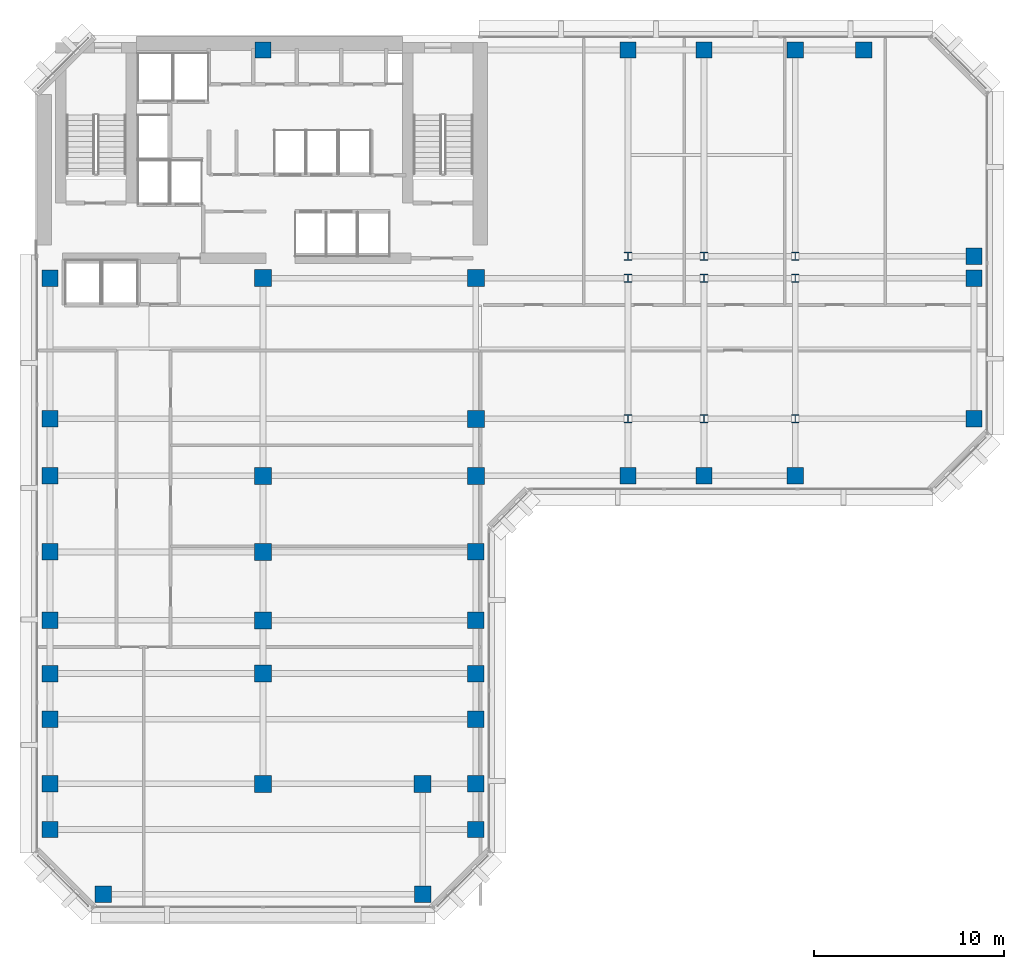
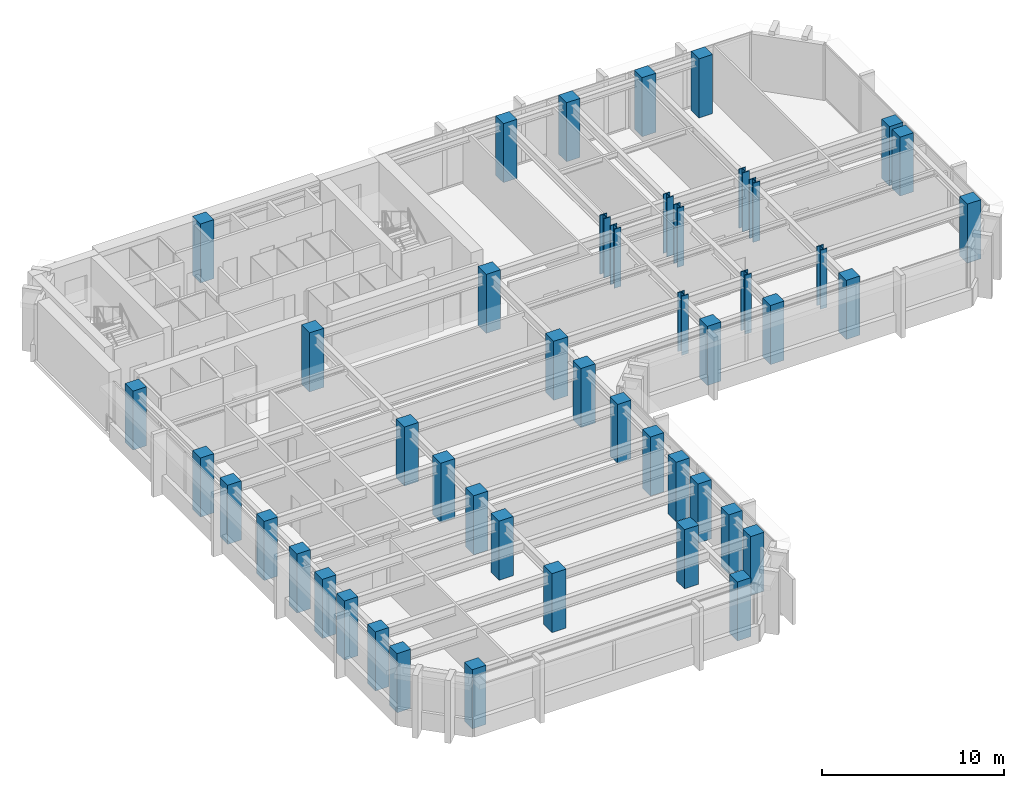
# One storey, part 1 of 11: 47 columns.
"""IFC4 building model written with IfcOpenShell, lengths in metres."""

from ifc_helpers import new_model, si_unit, direction, frame, origin, origin_2d, place, context, subcontext, project, spatial, rectangle, i_section, extrude, material, material_profile, profile_set, type_object, element, save


model = new_model("IFC4")

# Units and contexts
model_context = context("Model", 3, precision=1e-05, world=origin(), true_north=direction((0.0, 1.0)))
body_context = subcontext(model_context, "Body", "Model", "MODEL_VIEW")
ifc_project = project(units=[si_unit("LENGTHUNIT", "METRE"), si_unit("AREAUNIT", "SQUARE_METRE"), si_unit("VOLUMEUNIT", "CUBIC_METRE"), si_unit("PLANEANGLEUNIT", "RADIAN"), si_unit("MASSUNIT", "GRAM", prefix="KILO")], contexts=[model_context])

# Site, building, storey
site_placement = place(None, origin())
site = spatial("IfcSite", under=ifc_project, at=site_placement, CompositionType="ELEMENT")
building_placement = place(site_placement, origin())
building = spatial("IfcBuilding", under=site, at=building_placement, Name="Kefirva Bronze Tower", CompositionType="ELEMENT")
storey_placement = place(building_placement, frame((0.0, 0.0, 187.43994140625)))
storey = spatial("IfcBuildingStorey", under=building, at=storey_placement, Name="L45", CompositionType="ELEMENT", Elevation=187.43994140625)

# Columns
ifc_material_1 = material(Name="Concrete C60/75", Category="concrete")
ifc_material_profile_1 = material_profile(ifc_material_1, rectangle(XDim=0.860107421875, YDim=0.860107421875, at=origin_2d()), Name="RC 860x860")
ifc_profile_set_1 = profile_set([ifc_material_profile_1], Name="Concrete C60/75")
column_type_1 = type_object("IfcColumnType", Name="RC Column 860x860 Ext", PredefinedType="COLUMN", material=ifc_profile_set_1)
for number, where, z_axis, x_axis, name in (
    (1, (0.800048828125, 4.199951171875, 0.0), (0.0, 0.0, 1.0), (1.0, 0.0, 0.0), "L45 Column C008_042"),
    (2, (0.800048828125, 6.60009765625, 0.0), (0.0, 0.0, 1.0), (1.0, 0.0, 0.0), "L45 Column C008_066"),
    (3, (0.800048828125, 10.0, 0.0), (0.0, 0.0, 1.0), (1.0, 0.0, 0.0), "L45 Column C008_100"),
    (4, (0.800048828125, 12.39990234375, 0.0), (0.0, 0.0, 1.0), (1.0, 0.0, 0.0), "L45 Column C008_124"),
    (5, (0.800048828125, 15.199951171875, 0.0), (0.0, 0.0, 1.0), (1.0, 0.0, 0.0), "L45 Column C008_152"),
    (6, (0.800048828125, 18.800048828125, 0.0), (0.0, 0.0, 1.0), (1.0, 0.0, 0.0), "L45 Column C008_188"),
    (7, (0.800048828125, 22.800048828125, 0.0), (0.0, 0.0, 1.0), (1.0, 0.0, 0.0), "L45 Column C008_228"),
    (8, (0.800048828125, 25.800048828125, 0.0), (0.0, 0.0, 1.0), (1.0, 0.0, 0.0), "L45 Column C008_258"),
    (9, (0.800048828125, 33.199951171875, 0.0), (0.0, 0.0, 1.0), (1.0, 0.0, 0.0), "L45 Column C008_332"),
    (10, (3.60009765625, 0.800048828125, 0.0), (0.0, 0.0, 1.0), (1.0, 0.0, 0.0), "L45 Column C036_008"),
    (11, (12.0, 45.199951171875, 0.0), (0.0, 0.0, 1.0), (1.0, 0.0, 0.0), "L45 Column C120_452"),
    (12, (20.39990234375, 0.800048828125, 0.0), (0.0, 0.0, 1.0), (1.0, 0.0, 0.0), "L45 Column C204_008"),
    (13, (23.199951171875, 4.199951171875, 0.0), (0.0, 0.0, 1.0), (1.0, 0.0, 0.0), "L45 Column C232_042"),
    (14, (23.199951171875, 6.60009765625, 0.0), (0.0, 0.0, 1.0), (1.0, 0.0, 0.0), "L45 Column C232_066"),
    (15, (23.199951171875, 10.0, 0.0), (0.0, 0.0, 1.0), (1.0, 0.0, 0.0), "L45 Column C232_100"),
    (16, (23.199951171875, 12.39990234375, 0.0), (0.0, 0.0, 1.0), (1.0, 0.0, 0.0), "L45 Column C232_124"),
    (17, (23.199951171875, 15.199951171875, 0.0), (0.0, 0.0, 1.0), (1.0, 0.0, 0.0), "L45 Column C232_152"),
    (18, (23.199951171875, 18.800048828125, 0.0), (0.0, 0.0, 1.0), (1.0, 0.0, 0.0), "L45 Column C232_188"),
    (19, (31.199951171875, 22.800048828125, 0.0), (0.0, 0.0, 1.0), (1.0, 0.0, 0.0), "L45 Column C312_228"),
    (20, (31.199951171875, 45.199951171875, 0.0), (0.0, 0.0, 1.0), (1.0, 0.0, 0.0), "L45 Column C312_452"),
    (21, (35.199951171875, 22.800048828125, 0.0), (0.0, 0.0, 1.0), (1.0, 0.0, 0.0), "L45 Column C352_228"),
    (22, (35.199951171875, 45.199951171875, 0.0), (0.0, 0.0, 1.0), (1.0, 0.0, 0.0), "L45 Column C352_452"),
    (23, (40.0, 22.800048828125, 0.0), (0.0, 0.0, 1.0), (1.0, 0.0, 0.0), "L45 Column C400_228"),
    (24, (40.0, 45.199951171875, 0.0), (0.0, 0.0, 1.0), (1.0, 0.0, 0.0), "L45 Column C400_452"),
    (25, (43.60009765625, 45.199951171875, 0.0), (0.0, 0.0, 1.0), (1.0, 0.0, 0.0), "L45 Column C436_452"),
    (26, (49.39990234375, 25.800048828125, 0.0), (0.0, 0.0, 1.0), (1.0, 0.0, 0.0), "L45 Column C494_258"),
    (27, (49.39990234375, 33.199951171875, 0.0), (0.0, 0.0, 1.0), (1.0, 0.0, 0.0), "L45 Column C494_332"),
    (28, (49.39990234375, 34.35009765625, 0.0), (0.0, 0.0, 1.0), (1.0, 0.0, 0.0), "L45 Column C494_344"),
):
    element("IfcColumn", number, at=place(storey_placement, frame(where, z_axis=z_axis, x_axis=x_axis)), inside=storey, type_object=column_type_1, Name=name, PredefinedType="COLUMN", context=body_context, shape_type="SweptSolid", body=[
        extrude(rectangle(XDim=0.860107421875, YDim=0.860107421875, at=origin_2d()), origin(), (0.0, 0.0, 1.0), 3.9599609375),
    ])
ifc_material_profile_2 = material_profile(ifc_material_1, rectangle(XDim=0.89990234375, YDim=0.89990234375, at=origin_2d()), Name="RC 900x900")
ifc_profile_set_2 = profile_set([ifc_material_profile_2], Name="Concrete C60/75")
column_type_2 = type_object("IfcColumnType", Name="RC Column 900x900 Int", PredefinedType="COLUMN", material=ifc_profile_set_2)
for number, where, z_axis, x_axis, name in (
    (29, (12.0, 6.60009765625, 0.0), (0.0, 0.0, 1.0), (1.0, 0.0, 0.0), "L45 Column C120_066"),
    (30, (12.0, 12.39990234375, 0.0), (0.0, 0.0, 1.0), (1.0, 0.0, 0.0), "L45 Column C120_124"),
    (31, (12.0, 15.199951171875, 0.0), (0.0, 0.0, 1.0), (1.0, 0.0, 0.0), "L45 Column C120_152"),
    (32, (12.0, 18.800048828125, 0.0), (0.0, 0.0, 1.0), (1.0, 0.0, 0.0), "L45 Column C120_188"),
    (33, (12.0, 22.800048828125, 0.0), (0.0, 0.0, 1.0), (1.0, 0.0, 0.0), "L45 Column C120_228"),
    (34, (12.0, 33.199951171875, 0.0), (0.0, 0.0, 1.0), (1.0, 0.0, 0.0), "L45 Column C120_332"),
    (35, (20.39990234375, 6.60009765625, 0.0), (0.0, 0.0, 1.0), (1.0, 0.0, 0.0), "L45 Column C204_066"),
    (36, (23.199951171875, 22.800048828125, 0.0), (0.0, 0.0, 1.0), (1.0, 0.0, 0.0), "L45 Column C232_228"),
    (37, (23.199951171875, 25.800048828125, 0.0), (0.0, 0.0, 1.0), (1.0, 0.0, 0.0), "L45 Column C232_258"),
    (38, (23.199951171875, 33.199951171875, 0.0), (0.0, 0.0, 1.0), (1.0, 0.0, 0.0), "L45 Column C232_332"),
):
    element("IfcColumn", number, at=place(storey_placement, frame(where, z_axis=z_axis, x_axis=x_axis)), inside=storey, type_object=column_type_2, Name=name, PredefinedType="COLUMN", context=body_context, shape_type="SweptSolid", body=[
        extrude(rectangle(XDim=0.89990234375, YDim=0.89990234375, at=origin_2d()), origin(), (0.0, 0.0, 1.0), 3.9599609375),
    ])
ifc_material_2 = material(Name="Steel S460", Category="steel")
ifc_material_profile_3 = material_profile(ifc_material_2, i_section(OverallWidth=0.41796875, OverallDepth=0.455078125, WebThickness=0.031982421875, FlangeThickness=0.051025390625, at=origin_2d()), Name="HD 400x551")
ifc_profile_set_3 = profile_set([ifc_material_profile_3], Name="Steel S460")
column_type_3 = type_object("IfcColumnType", Name="Steel Column HD 400x551", PredefinedType="COLUMN", material=ifc_profile_set_3)
for number, where, z_axis, x_axis, name in (
    (39, (31.199951171875, 25.800048828125, 0.0), (0.0, 0.0, 1.0), (1.0, 0.0, 0.0), "L45 Column C312_258"),
    (40, (31.199951171875, 33.199951171875, 0.0), (0.0, 0.0, 1.0), (1.0, 0.0, 0.0), "L45 Column C312_332"),
    (41, (31.199951171875, 34.35009765625, 0.0), (0.0, 0.0, 1.0), (1.0, 0.0, 0.0), "L45 Column C312_344"),
    (42, (35.199951171875, 25.800048828125, 0.0), (0.0, 0.0, 1.0), (1.0, 0.0, 0.0), "L45 Column C352_258"),
    (43, (35.199951171875, 33.199951171875, 0.0), (0.0, 0.0, 1.0), (1.0, 0.0, 0.0), "L45 Column C352_332"),
    (44, (35.199951171875, 34.35009765625, 0.0), (0.0, 0.0, 1.0), (1.0, 0.0, 0.0), "L45 Column C352_344"),
    (45, (40.0, 25.800048828125, 0.0), (0.0, 0.0, 1.0), (1.0, 0.0, 0.0), "L45 Column C400_258"),
    (46, (40.0, 33.199951171875, 0.0), (0.0, 0.0, 1.0), (1.0, 0.0, 0.0), "L45 Column C400_332"),
    (47, (40.0, 34.35009765625, 0.0), (0.0, 0.0, 1.0), (1.0, 0.0, 0.0), "L45 Column C400_344"),
):
    element("IfcColumn", number, at=place(storey_placement, frame(where, z_axis=z_axis, x_axis=x_axis)), inside=storey, type_object=column_type_3, Name=name, PredefinedType="COLUMN", context=body_context, shape_type="SweptSolid", body=[
        extrude(i_section(OverallWidth=0.41796875, OverallDepth=0.455078125, WebThickness=0.031982421875, FlangeThickness=0.051025390625, at=origin_2d()), origin(), (0.0, 0.0, 1.0), 3.9599609375),
    ])

save(model, "model.ifc")
